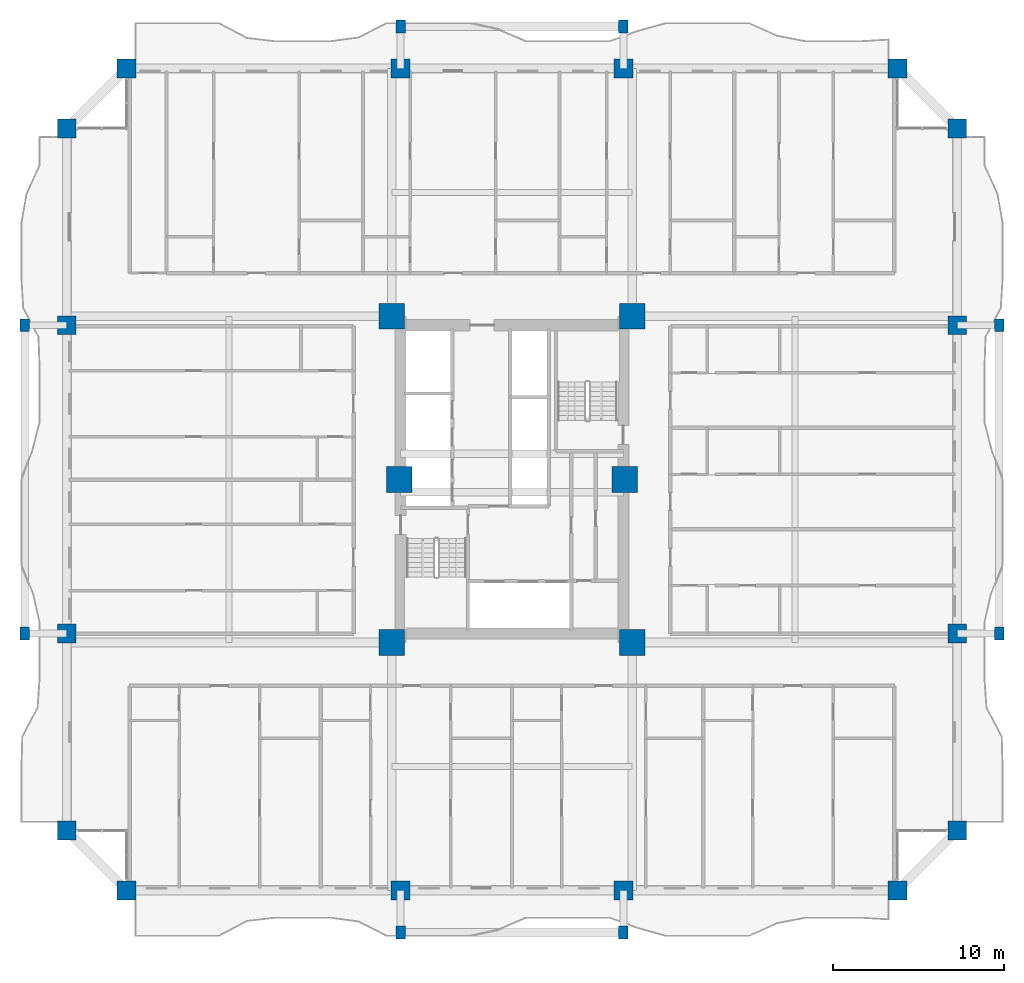
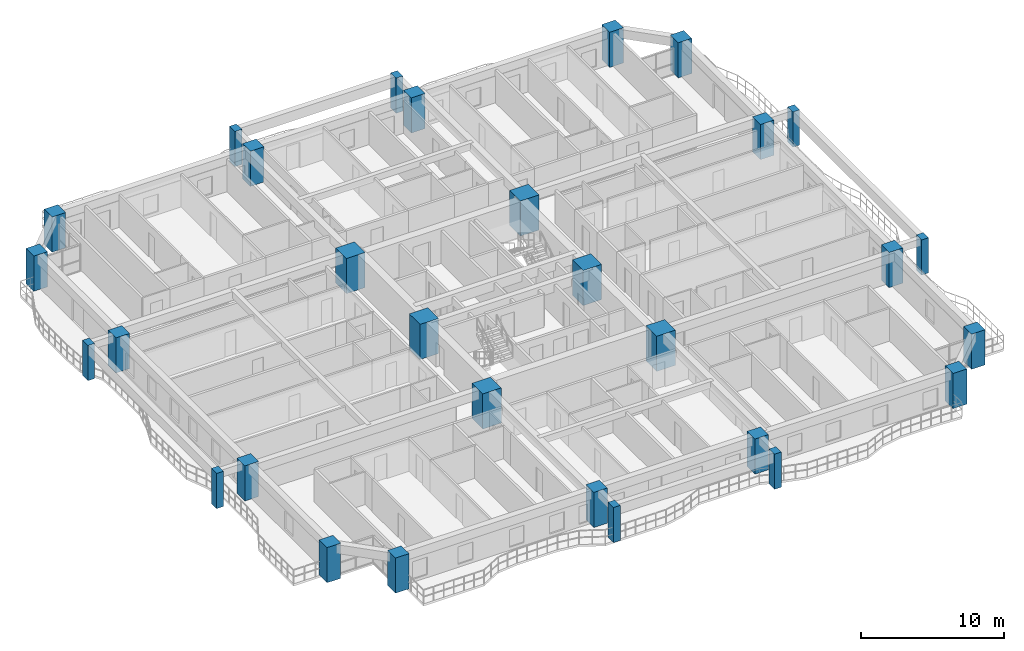
# One storey, part 1 of 27: 30 columns.
"""IFC4 building model written with IfcOpenShell, lengths in metres."""

from ifc_helpers import new_model, si_unit, direction, frame, origin, origin_2d, place, context, subcontext, project, spatial, rectangle, extrude, source, transform, mapped, material, material_profile, profile_set, type_object, element, save


model = new_model("IFC4")

# Units and contexts
model_context = context("Model", 3, precision=1e-05, world=origin(), true_north=direction((0.0, 1.0)))
body_context = subcontext(model_context, "Body", "Model", "MODEL_VIEW")
ifc_project = project(units=[si_unit("LENGTHUNIT", "METRE"), si_unit("AREAUNIT", "SQUARE_METRE"), si_unit("VOLUMEUNIT", "CUBIC_METRE"), si_unit("PLANEANGLEUNIT", "RADIAN"), si_unit("MASSUNIT", "GRAM", prefix="KILO")], contexts=[model_context])

# Site, building, storey
site_placement = place(None, origin())
site = spatial("IfcSite", under=ifc_project, at=site_placement, CompositionType="ELEMENT")
building_placement = place(site_placement, origin())
building = spatial("IfcBuilding", under=site, at=building_placement, Name="Saelheon Loggia Tower", CompositionType="ELEMENT")
storey_placement = place(building_placement, frame((0.0, 0.0, 43.39990234375)))
storey = spatial("IfcBuildingStorey", under=building, at=storey_placement, Name="L13", CompositionType="ELEMENT", Elevation=43.39990234375)

# Columns
ifc_material_1 = material(Name="Concrete C60/75", Category="concrete")
ifc_material_profile_1 = material_profile(ifc_material_1, rectangle(XDim=1.5, YDim=1.5, at=origin_2d()), Name="RC-1500x1500")
ifc_profile_set_1 = profile_set([ifc_material_profile_1], Name="Concrete C60/75")
column_type_1 = type_object("IfcColumnType", Name="Col_Core_RC1500", PredefinedType="COLUMN", material=ifc_profile_set_1)
shared_shape_1 = source(origin(), body_context, "Body", "SweptSolid", [
    extrude(rectangle(XDim=1.5, YDim=1.5, at=origin_2d()), origin(), (0.0, 0.0, 1.0), 3.0),
])
for number, where, z_axis, x_axis, name in (
    (1, (30.97998046875, 17.47998046875, 0.0), (0.0, 0.0, 1.0), (1.0, 0.0, 0.0), "L13 Core Column CR-SW"),
    (2, (45.02001953125, 17.47998046875, 0.0), (0.0, 0.0, 1.0), (1.0, 0.0, 0.0), "L13 Core Column CR-SE"),
    (3, (30.97998046875, 36.52001953125, 0.0), (0.0, 0.0, 1.0), (1.0, 0.0, 0.0), "L13 Core Column CR-NW"),
    (4, (45.02001953125, 36.52001953125, 0.0), (0.0, 0.0, 1.0), (1.0, 0.0, 0.0), "L13 Core Column CR-NE"),
    (5, (31.419921875, 27.0, 0.0), (0.0, 0.0, 1.0), (1.0, 0.0, 0.0), "L13 Core Column CR-MW"),
    (6, (44.580078125, 27.0, 0.0), (0.0, 0.0, 1.0), (1.0, 0.0, 0.0), "L13 Core Column CR-ME"),
):
    element("IfcColumn", number, at=place(storey_placement, frame(where, z_axis=z_axis, x_axis=x_axis)), inside=storey, type_object=column_type_1, Name=name, PredefinedType="COLUMN", context=body_context, shape_type="MappedRepresentation", body=[
        mapped(shared_shape_1, transform((0.0, 0.0, 0.0), scale=1.0)),
    ])
ifc_material_2 = material(Name="Concrete C50/60", Category="concrete")
ifc_material_profile_2 = material_profile(ifc_material_2, rectangle(XDim=1.10009765625, YDim=1.10009765625, at=origin_2d()), Name="RC-1100x1100")
ifc_profile_set_2 = profile_set([ifc_material_profile_2], Name="Concrete C50/60")
column_type_2 = type_object("IfcColumnType", Name="Col_PerimExt_RC1100", PredefinedType="COLUMN", material=ifc_profile_set_2)
shared_shape_2 = source(origin(), body_context, "Body", "SweptSolid", [
    extrude(rectangle(XDim=1.10009765625, YDim=1.10009765625, at=origin_2d()), origin(), (0.0, 0.0, 1.0), 3.0),
])
for number, where, z_axis, x_axis, name in (
    (7, (15.5, 3.0, 0.0), (0.0, 0.0, 1.0), (1.0, 0.0, 0.0), "L13 Perimeter Column TP-S1"),
    (8, (31.5, 3.0, 0.0), (0.0, 0.0, 1.0), (1.0, 0.0, 0.0), "L13 Perimeter Column TP-SA"),
    (9, (44.5, 3.0, 0.0), (0.0, 0.0, 1.0), (1.0, 0.0, 0.0), "L13 Perimeter Column TP-SB"),
    (10, (60.5, 3.0, 0.0), (0.0, 0.0, 1.0), (1.0, 0.0, 0.0), "L13 Perimeter Column TP-S2"),
    (11, (64.0, 6.5, 0.0), (0.0, 0.0, 1.0), (1.0, 0.0, 0.0), "L13 Perimeter Column TP-E1"),
    (12, (64.0, 18.0, 0.0), (0.0, 0.0, 1.0), (1.0, 0.0, 0.0), "L13 Perimeter Column TP-EA"),
    (13, (64.0, 36.0, 0.0), (0.0, 0.0, 1.0), (1.0, 0.0, 0.0), "L13 Perimeter Column TP-EB"),
    (14, (64.0, 47.5, 0.0), (0.0, 0.0, 1.0), (1.0, 0.0, 0.0), "L13 Perimeter Column TP-E2"),
    (15, (60.5, 51.0, 0.0), (0.0, 0.0, 1.0), (1.0, 0.0, 0.0), "L13 Perimeter Column TP-N2"),
    (16, (44.5, 51.0, 0.0), (0.0, 0.0, 1.0), (1.0, 0.0, 0.0), "L13 Perimeter Column TP-NB"),
    (17, (31.5, 51.0, 0.0), (0.0, 0.0, 1.0), (1.0, 0.0, 0.0), "L13 Perimeter Column TP-NA"),
    (18, (15.5, 51.0, 0.0), (0.0, 0.0, 1.0), (1.0, 0.0, 0.0), "L13 Perimeter Column TP-N1"),
    (19, (12.0, 47.5, 0.0), (0.0, 0.0, 1.0), (1.0, 0.0, 0.0), "L13 Perimeter Column TP-W2"),
    (20, (12.0, 36.0, 0.0), (0.0, 0.0, 1.0), (1.0, 0.0, 0.0), "L13 Perimeter Column TP-WB"),
    (21, (12.0, 18.0, 0.0), (0.0, 0.0, 1.0), (1.0, 0.0, 0.0), "L13 Perimeter Column TP-WA"),
    (22, (12.0, 6.5, 0.0), (0.0, 0.0, 1.0), (1.0, 0.0, 0.0), "L13 Perimeter Column TP-W1"),
):
    element("IfcColumn", number, at=place(storey_placement, frame(where, z_axis=z_axis, x_axis=x_axis)), inside=storey, type_object=column_type_2, Name=name, PredefinedType="COLUMN", context=body_context, shape_type="MappedRepresentation", body=[
        mapped(shared_shape_2, transform((0.0, 0.0, 0.0), scale=1.0)),
    ])
ifc_material_3 = material(Name="Precast Concrete C45/55", Category="concrete")
ifc_material_profile_3 = material_profile(ifc_material_3, rectangle(XDim=0.550048828125, YDim=0.75, at=origin_2d()), Name="RC-550x750")
ifc_profile_set_3 = profile_set([ifc_material_profile_3], Name="Precast Concrete C45/55")
column_type_3 = type_object("IfcColumnType", Name="Col_Loggia_Pilaster_750", PredefinedType="PILASTER", material=ifc_profile_set_3)
shared_shape_3 = source(origin(), body_context, "Body", "SweptSolid", [
    extrude(rectangle(XDim=0.550048828125, YDim=0.75, at=origin_2d()), origin(), (0.0, 0.0, 1.0), 3.0),
])
for number, where, z_axis, x_axis, name in (
    (23, (31.5, 0.550048828125, 0.0), (0.0, 0.0, 1.0), (1.0, 0.0, 0.0), "L13 Loggia Frame Pilaster LP-S1"),
    (24, (44.5, 0.550048828125, 0.0), (0.0, 0.0, 1.0), (1.0, 0.0, 0.0), "L13 Loggia Frame Pilaster LP-S2"),
    (25, (31.5, 53.449951171875, 0.0), (0.0, 0.0, 1.0), (1.0, 0.0, 0.0), "L13 Loggia Frame Pilaster LP-N1"),
    (26, (44.5, 53.449951171875, 0.0), (0.0, 0.0, 1.0), (1.0, 0.0, 0.0), "L13 Loggia Frame Pilaster LP-N2"),
    (27, (66.449951171875, 18.0, 0.0), (0.0, 0.0, 1.0), (1.0, 0.0, 0.0), "L13 Loggia Frame Pilaster LP-E1"),
    (28, (66.449951171875, 36.0, 0.0), (0.0, 0.0, 1.0), (1.0, 0.0, 0.0), "L13 Loggia Frame Pilaster LP-E2"),
    (29, (9.550048828125, 18.0, 0.0), (0.0, 0.0, 1.0), (1.0, 0.0, 0.0), "L13 Loggia Frame Pilaster LP-W1"),
    (30, (9.550048828125, 36.0, 0.0), (0.0, 0.0, 1.0), (1.0, 0.0, 0.0), "L13 Loggia Frame Pilaster LP-W2"),
):
    element("IfcColumn", number, at=place(storey_placement, frame(where, z_axis=z_axis, x_axis=x_axis)), inside=storey, type_object=column_type_3, Name=name, PredefinedType="PILASTER", context=body_context, shape_type="MappedRepresentation", body=[
        mapped(shared_shape_3, transform((0.0, 0.0, 0.0), scale=1.0)),
    ])

save(model, "model.ifc")
